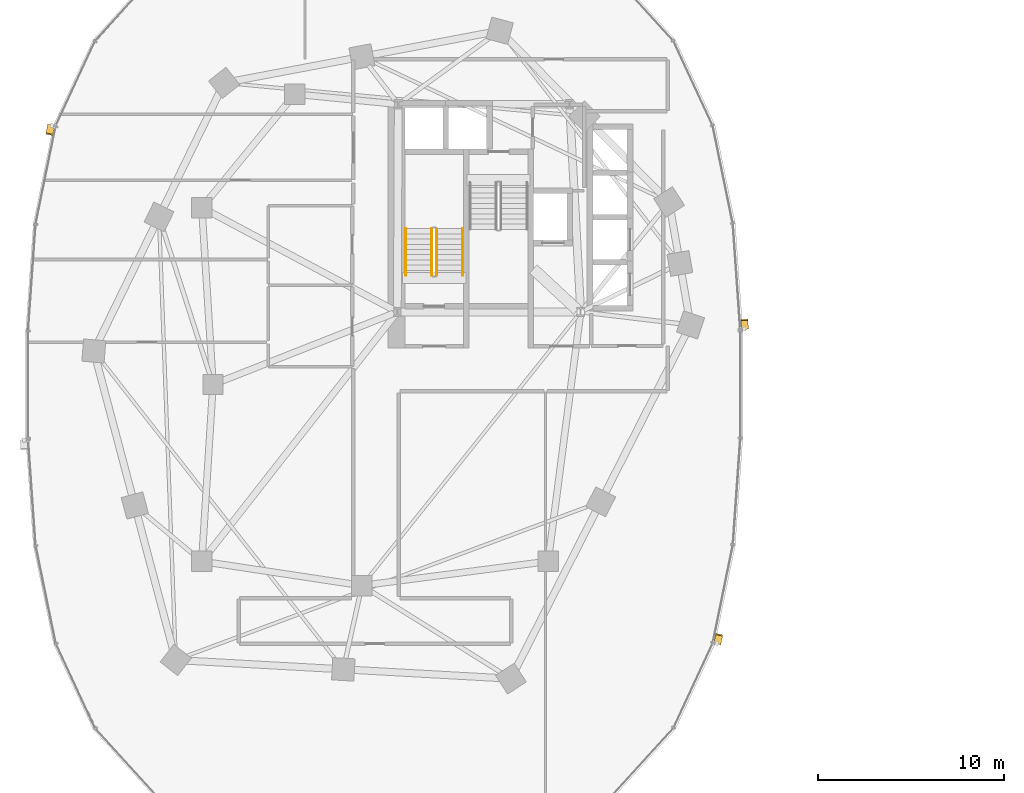
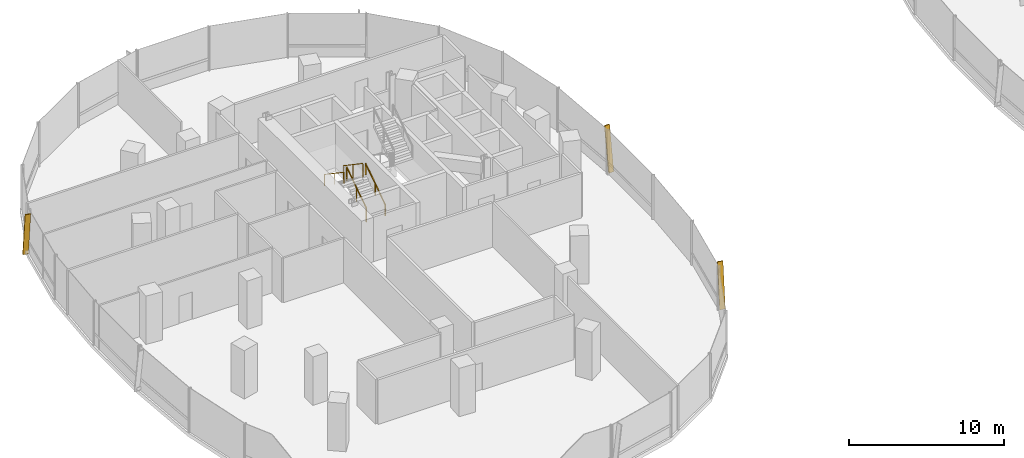
# One storey, part 18 of 21: 4 railings, 3 shading devices.
"""IFC4 building model written with IfcOpenShell, lengths in metres."""

from ifc_helpers import new_model, si_unit, direction, frame, origin, origin_2d, place, context, subcontext, project, spatial, rectangle, extrude, material, material_profile, profile_set, type_object, element, save


model = new_model("IFC4")

# Units and contexts
model_context = context("Model", 3, precision=1e-05, world=origin(), true_north=direction((0.0, 1.0)))
body_context = subcontext(model_context, "Body", "Model", "MODEL_VIEW")
ifc_project = project(units=[si_unit("LENGTHUNIT", "METRE"), si_unit("AREAUNIT", "SQUARE_METRE"), si_unit("VOLUMEUNIT", "CUBIC_METRE"), si_unit("PLANEANGLEUNIT", "RADIAN"), si_unit("MASSUNIT", "GRAM", prefix="KILO"), si_unit("THERMODYNAMICTEMPERATUREUNIT", "KELVIN"), si_unit("POWERUNIT", "WATT")], contexts=[model_context])

# Site, building, storey
site_placement = place(None, origin())
site = spatial("IfcSite", under=ifc_project, at=site_placement, CompositionType="ELEMENT")
building_placement = place(site_placement, origin())
building = spatial("IfcBuilding", under=site, at=building_placement, Name="Cundina Bronze Exchange", CompositionType="ELEMENT")
storey_placement = place(building_placement, frame((0.0, 0.0, 27.800048828125)))
storey = spatial("IfcBuildingStorey", under=building, at=storey_placement, Name="L06", CompositionType="ELEMENT", Elevation=27.800048828125)

# Railings
ifc_material_1 = material(Name="Steel ASTM A36 Painted", Category="steel")
railing_type_1 = type_object("IfcRailingType", Name="RLG-HND-900", PredefinedType="HANDRAIL", material=ifc_material_1)
railing_1_placement = place(storey_placement, frame((-27.7900390625, 5.85009765625, 0.18994140625)))
element("IfcRailing", 1, at=railing_1_placement, inside=storey, type_object=railing_type_1, Name="L06 ST-W1 stair handrail 1", PredefinedType="HANDRAIL", context=body_context, shape_type="SweptSolid", body=[
    extrude(rectangle(XDim=0.048095703125, YDim=0.048095703125, at=origin_2d()), frame((0.0, 0.0, 0.8759765625), z_axis=(0.0, 0.827483756001, 0.561489655786), x_axis=(-1.0, 0.0, 0.0)), (0.0, 0.0, 1.0), 3.04541015625),
    extrude(rectangle(XDim=0.0419921875, YDim=0.0419921875, at=origin_2d()), origin(), (0.0, 0.0, 1.0), 0.851806640625),
    extrude(rectangle(XDim=0.0419921875, YDim=0.0419921875, at=origin_2d()), frame((0.0, 1.260009765625, 0.85498046875)), (0.0, 0.0, 1.0), 0.851806640625),
    extrude(rectangle(XDim=0.0419921875, YDim=0.0419921875, at=origin_2d()), frame((0.0, 2.52001953125, 1.7099609375)), (0.0, 0.0, 1.0), 0.851806640625),
])
railing_2_placement = place(storey_placement, frame((-30.85009765625, 8.3701171875, 2.08984375)))
element("IfcRailing", 2, at=railing_2_placement, inside=storey, type_object=railing_type_1, Name="L06 ST-W1 stair handrail 2", PredefinedType="HANDRAIL", context=body_context, shape_type="SweptSolid", body=[
    extrude(rectangle(XDim=0.048095703125, YDim=0.048095703125, at=origin_2d()), frame((0.0, 0.0, 0.8759765625), z_axis=(0.0, -0.82744650838, 0.561544544778), x_axis=(1.0, 0.0, 0.0)), (0.0, 0.0, 1.0), 3.045654296875),
    extrude(rectangle(XDim=0.0419921875, YDim=0.0419921875, at=origin_2d()), origin(), (0.0, 0.0, 1.0), 0.851806640625),
    extrude(rectangle(XDim=0.0419921875, YDim=0.0419921875, at=origin_2d()), frame((0.0, -1.260009765625, 0.85498046875)), (0.0, 0.0, 1.0), 0.851806640625),
    extrude(rectangle(XDim=0.0419921875, YDim=0.0419921875, at=origin_2d()), frame((0.0, -2.52001953125, 1.710205078125)), (0.0, 0.0, 1.0), 0.851806640625),
])
railing_type_2 = type_object("IfcRailingType", Name="RLG-STG-1100", PredefinedType="GUARDRAIL", material=ifc_material_1)
railing_3_placement = place(storey_placement, frame((-29.18994140625, 5.85009765625, 0.18994140625)))
element("IfcRailing", 3, at=railing_3_placement, inside=storey, type_object=railing_type_2, Name="L06 ST-W1 stair guard 1", PredefinedType="GUARDRAIL", context=body_context, shape_type="SweptSolid", body=[
    extrude(rectangle(XDim=0.048095703125, YDim=0.048095703125, at=origin_2d()), frame((0.0, 0.0, 1.076171875), z_axis=(0.0, 0.827483756001, 0.561489655786), x_axis=(-1.0, 0.0, 0.0)), (0.0, 0.0, 1.0), 3.04541015625),
    extrude(rectangle(XDim=0.0419921875, YDim=0.0419921875, at=origin_2d()), origin(), (0.0, 0.0, 1.0), 1.052001953125),
    extrude(rectangle(XDim=0.0419921875, YDim=0.0419921875, at=origin_2d()), frame((0.0, 1.260009765625, 0.85498046875)), (0.0, 0.0, 1.0), 1.052001953125),
    extrude(rectangle(XDim=0.0419921875, YDim=0.0419921875, at=origin_2d()), frame((0.0, 2.52001953125, 1.7099609375)), (0.0, 0.0, 1.0), 1.052001953125),
])
railing_4_placement = place(storey_placement, frame((-29.449951171875, 8.3701171875, 2.08984375)))
element("IfcRailing", 4, at=railing_4_placement, inside=storey, type_object=railing_type_2, Name="L06 ST-W1 stair guard 3", PredefinedType="GUARDRAIL", context=body_context, shape_type="SweptSolid", body=[
    extrude(rectangle(XDim=0.048095703125, YDim=0.048095703125, at=origin_2d()), frame((0.0, 0.0, 1.076171875), z_axis=(0.0, -0.82744650838, 0.561544544778), x_axis=(1.0, 0.0, 0.0)), (0.0, 0.0, 1.0), 3.045654296875),
    extrude(rectangle(XDim=0.0419921875, YDim=0.0419921875, at=origin_2d()), origin(), (0.0, 0.0, 1.0), 1.052001953125),
    extrude(rectangle(XDim=0.0419921875, YDim=0.0419921875, at=origin_2d()), frame((0.0, -1.260009765625, 0.85498046875)), (0.0, 0.0, 1.0), 1.052001953125),
    extrude(rectangle(XDim=0.0419921875, YDim=0.0419921875, at=origin_2d()), frame((0.0, -2.52001953125, 1.710205078125)), (0.0, 0.0, 1.0), 1.052001953125),
])

# Shading devices
ifc_material_2 = material(Name="Anodised Bronze Aluminium 6063-T6", Category="aluminium")
ifc_material_profile = material_profile(ifc_material_2, rectangle(XDim=0.070068359375, YDim=0.3798828125, at=origin_2d()), Name="FIN70X380", Category="aluminium")
ifc_profile_set = profile_set([ifc_material_profile], Name="Anodised Bronze Aluminium 6063-T6")
shading_device_type = type_object("IfcShadingDeviceType", Name="SHD-FIN-BRZ380", PredefinedType="USERDEFINED", material=ifc_profile_set)
for number, where, z_axis, x_axis, name in (
    (5, (-12.6259765625, 2.993896484375, 0.02001953125), (-0.009645159174, 0.137059109714, 0.990515911709), (0.06953288269, -0.988072340253, 0.137398066402), "L06 Diagonal Bronze Solar Fin 1"),
    (6, (-49.89599609375, 13.911865234375, 0.02001953125), (-0.027747134956, -0.134612045151, 0.990509815096), (0.199966585563, 0.970114971774, 0.137442010309), "L06 Diagonal Bronze Solar Fin 5"),
    (7, (-14.10400390625, -13.911865234375, 0.02001953125), (0.027747134956, 0.134612045151, 0.990509815096), (-0.199966585563, -0.970114971774, 0.137442010309), "L06 Diagonal Bronze Solar Fin 5"),
):
    element("IfcShadingDevice", number, at=place(storey_placement, frame(where, z_axis=z_axis, x_axis=x_axis)), inside=storey, type_object=shading_device_type, Name=name, ObjectType="FIN", PredefinedType="USERDEFINED", context=body_context, shape_type="SweptSolid", body=[
        extrude(rectangle(XDim=0.070068359375, YDim=0.3798828125, at=origin_2d()), origin(), (0.0, 0.0, 1.0), 3.4931640625),
    ])

save(model, "model.ifc")
